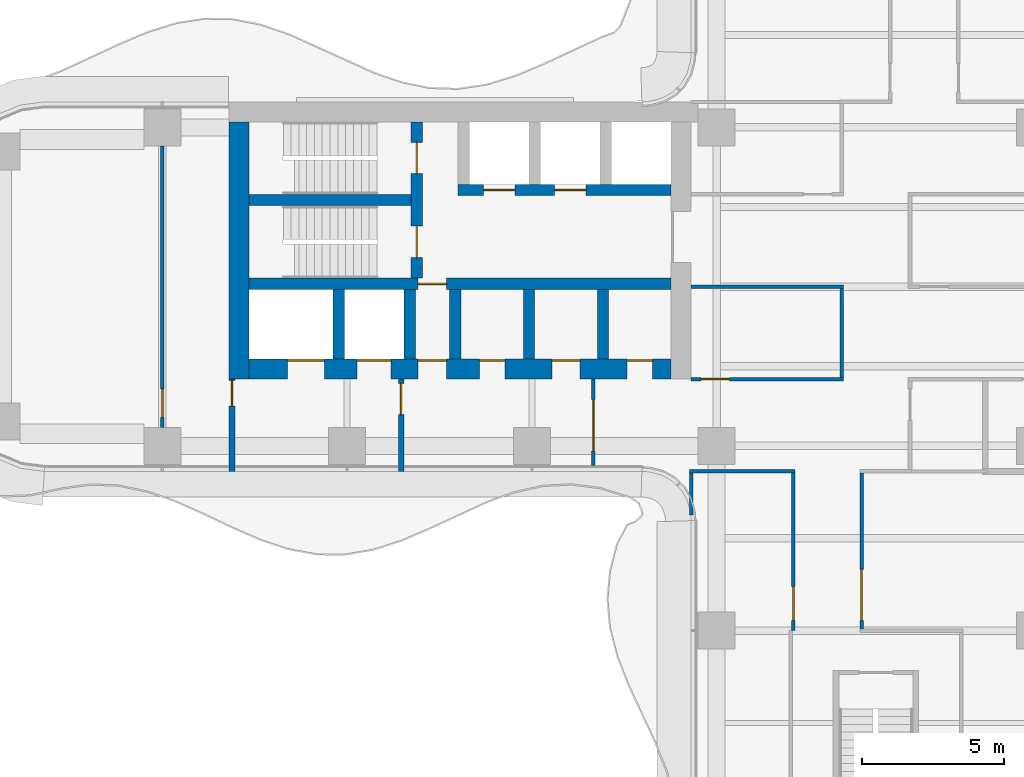
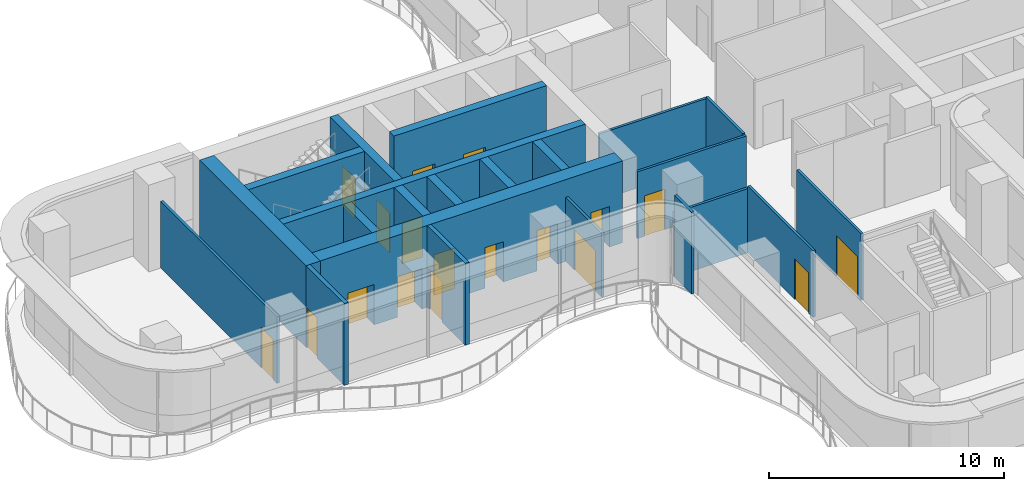
# One storey, part 15 of 20: 22 walls, 18 doors, 18 openings.
"""IFC4 building model written with IfcOpenShell, lengths in metres."""

from ifc_helpers import new_model, si_unit, direction, frame, frame_2d, origin, place, context, subcontext, project, spatial, rectangle, extrude, source, transform, mapped, material, layer, layer_set, type_object, element, fill, save


model = new_model("IFC4")

# Units and contexts
model_context = context("Model", 3, precision=1e-05, world=origin(), true_north=direction((0.0, 1.0)))
body_context = subcontext(model_context, "Body", "Model", "MODEL_VIEW")
ifc_project = project(units=[si_unit("LENGTHUNIT", "METRE"), si_unit("AREAUNIT", "SQUARE_METRE"), si_unit("VOLUMEUNIT", "CUBIC_METRE"), si_unit("PLANEANGLEUNIT", "RADIAN"), si_unit("MASSUNIT", "GRAM", prefix="KILO")], contexts=[model_context])

# Site, building, storey
site_placement = place(None, origin())
site = spatial("IfcSite", under=ifc_project, at=site_placement, CompositionType="ELEMENT")
building_placement = place(site_placement, origin())
building = spatial("IfcBuilding", under=site, at=building_placement, Name="Trellis Farm Tower", CompositionType="ELEMENT")
storey_placement = place(building_placement, frame((0.0, 0.0, 129.0)))
storey = spatial("IfcBuildingStorey", under=building, at=storey_placement, Name="L27", CompositionType="ELEMENT", Elevation=129.0)

# Walls
ifc_material_1 = material(Name="Concrete C70/85", Category="concrete")
ifc_layer_1 = layer(ifc_material_1, 0.699951171875)
ifc_layer_set_1 = layer_set([ifc_layer_1], Name="CORE OUTER WALL 700 CONCRETE C70/85")
wall_type_1 = type_object("IfcWallType", Name="CORE OUTER WALL 700 CONCRETE C70/85", PredefinedType="SHEAR", material=ifc_layer_set_1)
shared_shape_1 = source(origin(), body_context, "Body", "SweptSolid", [
    extrude(rectangle(XDim=9.050048828125, YDim=0.699951171875, at=frame_2d((4.52490234375, 0.0))), origin(), (0.0, 0.0, 1.0), 4.25),
])
wall_1_placement = place(storey_placement, frame((-22.39990234375, 5.800048828125, 0.0), z_axis=(0.0, 0.0, 1.0), x_axis=(0.0, -1.0, 0.0)))
element("IfcWall", 1, at=wall_1_placement, inside=storey, type_object=wall_type_1, Name="Core wall", PredefinedType="SHEAR", context=body_context, shape_type="MappedRepresentation", body=[
    mapped(shared_shape_1, transform((0.0, 0.0, 0.0))),
])
ifc_layer_2 = layer(ifc_material_1, 0.39990234375)
ifc_layer_set_2 = layer_set([ifc_layer_2], Name="CORE INNER WALL 400 CONCRETE C70/85")
wall_type_2 = type_object("IfcWallType", Name="CORE INNER WALL 400 CONCRETE C70/85", PredefinedType="SHEAR", material=ifc_layer_set_2)
shared_shape_2 = source(origin(), body_context, "Body", "SweptSolid", [
    extrude(rectangle(XDim=2.449951171875, YDim=0.39990234375, at=frame_2d((1.22509765625, 0.0))), origin(), (0.0, 0.0, 1.0), 4.25),
])
for number, where, z_axis, x_axis, name in (
    (2, (-9.60009765625, -0.10009765625, 0.0), (0.0, 0.0, 1.0), (0.0, -1.0, 0.0), "Core wall"),
    (3, (-12.199951171875, -0.10009765625, 0.0), (0.0, 0.0, 1.0), (0.0, -1.0, 0.0), "Core wall"),
    (4, (-14.800048828125, -0.10009765625, 0.0), (0.0, 0.0, 1.0), (0.0, -1.0, 0.0), "Core wall"),
    (5, (-16.39990234375, -0.10009765625, 0.0), (0.0, 0.0, 1.0), (0.0, -1.0, 0.0), "Core wall"),
    (6, (-18.89990234375, -0.10009765625, 0.0), (0.0, 0.0, 1.0), (0.0, -1.0, 0.0), "Core wall"),
):
    element("IfcWall", number, at=place(storey_placement, frame(where, z_axis=z_axis, x_axis=x_axis)), inside=storey, type_object=wall_type_2, Name=name, PredefinedType="SHEAR", context=body_context, shape_type="MappedRepresentation", body=[
        mapped(shared_shape_2, transform((0.0, 0.0, 0.0))),
    ])

# Wall, opening, door
ifc_material_2 = material(Name="Masonry blockwork", Category="masonry")
ifc_layer_3 = layer(ifc_material_2, 0.199951171875)
ifc_layer_set_3 = layer_set([ifc_layer_3], Name="FIRE LOBBY PARTITION 200 BLOCKWORK")
wall_type_3 = type_object("IfcWallType", Name="FIRE LOBBY PARTITION 200 BLOCKWORK", PredefinedType="PARTITIONING", material=ifc_layer_set_3)
shared_shape_3 = source(origin(), body_context, "Body", "SweptSolid", [
    extrude(rectangle(XDim=3.25, YDim=0.199951171875, at=frame_2d((1.625, 0.0))), origin(), (0.0, 0.0, 1.0), 4.25),
])
wall_2_placement = place(storey_placement, frame((-16.699951171875, -3.25, 0.0), z_axis=(0.0, 0.0, 1.0), x_axis=(0.0, -1.0, 0.0)))
wall_2 = element("IfcWall", 7, at=wall_2_placement, inside=storey, type_object=wall_type_3, Name="Fire-fighting lobby partition", PredefinedType="PARTITIONING", context=body_context, shape_type="MappedRepresentation", body=[
    mapped(shared_shape_3, transform((0.0, 0.0, 0.0))),
])
shared_shape_4 = source(origin(), body_context, "Body", "SweptSolid", [
    extrude(rectangle(XDim=1.10009765625, YDim=2.10009765625, at=frame_2d((0.550048828125, 1.050048828125))), frame((0.0, 0.110107421875, 0.0), z_axis=(0.0, -1.0, 0.0), x_axis=(1.0, 0.0, 0.0)), (0.0, 0.0, 1.0), 0.22021484375),
])
opening_1_placement = place(wall_2_placement, frame((0.14990234375, 0.0, 0.0)))
opening_1 = element("IfcOpeningElement", 8, at=opening_1_placement, cuts=wall_2, Name="Opening DC93", PredefinedType="OPENING", context=body_context, shape_type="MappedRepresentation", body=[
    mapped(shared_shape_4, transform((0.0, 0.0, 0.0))),
])
ifc_material_3 = material(Name="Steel", Category="steel")
door_type_1 = type_object("IfcDoorType", Name="CORE FIRE DOOR 1100 X 2100", OperationType="NOTDEFINED", PredefinedType="DOOR", material=ifc_material_3)
shared_shape_5 = source(origin(), body_context, "Body", "SweptSolid", [
    extrude(rectangle(XDim=1.10009765625, YDim=2.10009765625, at=frame_2d((0.550048828125, 1.050048828125))), frame((0.0, 0.02490234375, 0.0), z_axis=(0.0, -1.0, 0.0), x_axis=(1.0, 0.0, 0.0)), (0.0, 0.0, 1.0), 0.050048828125),
])
door_1_placement = place(opening_1_placement, origin())
door_1 = element("IfcDoor", 9, at=door_1_placement, inside=storey, type_object=door_type_1, Name="Core door", OperationType="SINGLE_SWING_RIGHT", OverallHeight=2.10009765625, OverallWidth=1.10009765625, PredefinedType="DOOR", context=body_context, shape_type="MappedRepresentation", body=[
    mapped(shared_shape_5, transform((0.0, 0.0, 0.0))),
])
fill(opening_1, door_1)

wall_3_placement = place(storey_placement, frame((-22.64990234375, -3.25, 0.0), z_axis=(0.0, 0.0, 1.0), x_axis=(0.0, -1.0, 0.0)))
wall_3 = element("IfcWall", 10, at=wall_3_placement, inside=storey, type_object=wall_type_3, Name="Fire-fighting lobby partition", PredefinedType="PARTITIONING", context=body_context, shape_type="MappedRepresentation", body=[
    mapped(shared_shape_3, transform((0.0, 0.0, 0.0))),
])
shared_shape_6 = source(origin(), body_context, "Body", "SweptSolid", [
    extrude(rectangle(XDim=0.89990234375, YDim=2.10009765625, at=frame_2d((0.449951171875, 1.050048828125))), frame((0.0, 0.110107421875, 0.0), z_axis=(0.0, -1.0, 0.0), x_axis=(1.0, 0.0, 0.0)), (0.0, 0.0, 1.0), 0.22021484375),
])
opening_2_placement = place(wall_3_placement, frame((0.050048828125, 0.0, 0.0)))
opening_2 = element("IfcOpeningElement", 11, at=opening_2_placement, cuts=wall_3, Name="Opening DC94", PredefinedType="OPENING", context=body_context, shape_type="MappedRepresentation", body=[
    mapped(shared_shape_6, transform((0.0, 0.0, 0.0))),
])
door_type_2 = type_object("IfcDoorType", Name="CORE FIRE DOOR 900 X 2100", OperationType="NOTDEFINED", PredefinedType="DOOR", material=ifc_material_3)
shared_shape_7 = source(origin(), body_context, "Body", "SweptSolid", [
    extrude(rectangle(XDim=0.89990234375, YDim=2.10009765625, at=frame_2d((0.449951171875, 1.050048828125))), frame((0.0, 0.02490234375, 0.0), z_axis=(0.0, -1.0, 0.0), x_axis=(1.0, 0.0, 0.0)), (0.0, 0.0, 1.0), 0.050048828125),
])
door_2_placement = place(opening_2_placement, origin())
door_2 = element("IfcDoor", 12, at=door_2_placement, inside=storey, type_object=door_type_2, Name="Core door", OperationType="SINGLE_SWING_RIGHT", OverallHeight=2.10009765625, OverallWidth=0.89990234375, PredefinedType="DOOR", context=body_context, shape_type="MappedRepresentation", body=[
    mapped(shared_shape_7, transform((0.0, 0.0, 0.0))),
])
fill(opening_2, door_2)

# Wall, openings, doors
shared_shape_8 = source(origin(), body_context, "Body", "SweptSolid", [
    extrude(rectangle(XDim=14.85009765625, YDim=0.699951171875, at=frame_2d((7.425048828125, 0.0))), origin(), (0.0, 0.0, 1.0), 4.25),
])
wall_4_placement = place(storey_placement, frame((-7.199951171875, -2.89990234375, 0.0), z_axis=(0.0, 0.0, 1.0), x_axis=(-1.0, 0.0, 0.0)))
wall_4 = element("IfcWall", 13, at=wall_4_placement, inside=storey, type_object=wall_type_1, Name="Core wall", PredefinedType="SHEAR", context=body_context, shape_type="MappedRepresentation", body=[
    mapped(shared_shape_8, transform((0.0, 0.0, 0.0))),
])
shared_shape_9 = source(origin(), body_context, "Body", "SweptSolid", [
    extrude(rectangle(XDim=1.300048828125, YDim=2.10009765625, at=frame_2d((0.64990234375, 1.050048828125))), frame((0.0, 0.360107421875, 0.0), z_axis=(0.0, -1.0, 0.0), x_axis=(1.0, 0.0, 0.0)), (0.0, 0.0, 1.0), 0.72021484375),
])
opening_3_placement = place(wall_4_placement, frame((12.199951171875, 0.0, 0.0)))
opening_3 = element("IfcOpeningElement", 14, at=opening_3_placement, cuts=wall_4, Name="Opening LD15", PredefinedType="OPENING", context=body_context, shape_type="MappedRepresentation", body=[
    mapped(shared_shape_9, transform((0.0, 0.0, 0.0))),
])
shared_shape_10 = source(origin(), body_context, "Body", "SweptSolid", [
    extrude(rectangle(XDim=1.199951171875, YDim=2.10009765625, at=frame_2d((0.60009765625, 1.050048828125))), frame((0.0, 0.360107421875, 0.0), z_axis=(0.0, -1.0, 0.0), x_axis=(1.0, 0.0, 0.0)), (0.0, 0.0, 1.0), 0.72021484375),
])
opening_4_placement = place(wall_4_placement, frame((9.85009765625, 0.0, 0.0)))
opening_4 = element("IfcOpeningElement", 15, at=opening_4_placement, cuts=wall_4, Name="Opening LD16", PredefinedType="OPENING", context=body_context, shape_type="MappedRepresentation", body=[
    mapped(shared_shape_10, transform((0.0, 0.0, 0.0))),
])
shared_shape_11 = source(origin(), body_context, "Body", "SweptSolid", [
    extrude(rectangle(XDim=1.0, YDim=2.10009765625, at=frame_2d((0.5, 1.050048828125))), frame((0.0, 0.360107421875, 0.0), z_axis=(0.0, -1.0, 0.0), x_axis=(1.0, 0.0, 0.0)), (0.0, 0.0, 1.0), 0.72021484375),
])
opening_5_placement = place(wall_4_placement, frame((7.89990234375, 0.0, 0.0)))
opening_5 = element("IfcOpeningElement", 16, at=opening_5_placement, cuts=wall_4, Name="Opening DC92", PredefinedType="OPENING", context=body_context, shape_type="MappedRepresentation", body=[
    mapped(shared_shape_11, transform((0.0, 0.0, 0.0))),
])
shared_shape_12 = source(origin(), body_context, "Body", "SweptSolid", [
    extrude(rectangle(XDim=0.89990234375, YDim=2.10009765625, at=frame_2d((0.449951171875, 1.050048828125))), frame((0.0, 0.360107421875, 0.0), z_axis=(0.0, -1.0, 0.0), x_axis=(1.0, 0.0, 0.0)), (0.0, 0.0, 1.0), 0.72021484375),
])
opening_6_placement = place(wall_4_placement, frame((0.64990234375, 0.0, 0.0)))
opening_6 = element("IfcOpeningElement", 17, at=opening_6_placement, cuts=wall_4, Name="Opening DC97", PredefinedType="OPENING", context=body_context, shape_type="MappedRepresentation", body=[
    mapped(shared_shape_12, transform((0.0, 0.0, 0.0))),
])
opening_7_placement = place(wall_4_placement, frame((3.199951171875, 0.0, 0.0)))
opening_7 = element("IfcOpeningElement", 18, at=opening_7_placement, cuts=wall_4, Name="Opening DC112", PredefinedType="OPENING", context=body_context, shape_type="MappedRepresentation", body=[
    mapped(shared_shape_11, transform((0.0, 0.0, 0.0))),
])
opening_8_placement = place(wall_4_placement, frame((5.85009765625, 0.0, 0.0)))
opening_8 = element("IfcOpeningElement", 19, at=opening_8_placement, cuts=wall_4, Name="Opening DC121", PredefinedType="OPENING", context=body_context, shape_type="MappedRepresentation", body=[
    mapped(shared_shape_12, transform((0.0, 0.0, 0.0))),
])
door_type_3 = type_object("IfcDoorType", Name="CORE FIRE DOOR 1000 X 2100", OperationType="NOTDEFINED", PredefinedType="DOOR", material=ifc_material_3)
shared_shape_13 = source(origin(), body_context, "Body", "SweptSolid", [
    extrude(rectangle(XDim=1.0, YDim=2.10009765625, at=frame_2d((0.5, 1.050048828125))), frame((0.0, -0.27490234375, 0.0), z_axis=(0.0, -1.0, 0.0), x_axis=(1.0, 0.0, 0.0)), (0.0, 0.0, 1.0), 0.050048828125),
])
door_3_placement = place(opening_5_placement, origin())
door_3 = element("IfcDoor", 20, at=door_3_placement, inside=storey, type_object=door_type_3, Name="Core door", OperationType="SINGLE_SWING_LEFT", OverallHeight=2.10009765625, OverallWidth=1.0, PredefinedType="DOOR", context=body_context, shape_type="MappedRepresentation", body=[
    mapped(shared_shape_13, transform((0.0, 0.0, 0.0))),
])
fill(opening_5, door_3)
door_4_placement = place(opening_7_placement, origin())
door_4 = element("IfcDoor", 21, at=door_4_placement, inside=storey, type_object=door_type_3, Name="Core door", OperationType="SINGLE_SWING_RIGHT", OverallHeight=2.10009765625, OverallWidth=1.0, PredefinedType="DOOR", context=body_context, shape_type="MappedRepresentation", body=[
    mapped(shared_shape_13, transform((0.0, 0.0, 0.0))),
])
fill(opening_7, door_4)
shared_shape_14 = source(origin(), body_context, "Body", "SweptSolid", [
    extrude(rectangle(XDim=0.89990234375, YDim=2.10009765625, at=frame_2d((0.449951171875, 1.050048828125))), frame((0.0, -0.27490234375, 0.0), z_axis=(0.0, -1.0, 0.0), x_axis=(1.0, 0.0, 0.0)), (0.0, 0.0, 1.0), 0.050048828125),
])
door_5_placement = place(opening_6_placement, origin())
door_5 = element("IfcDoor", 22, at=door_5_placement, inside=storey, type_object=door_type_2, Name="Core door", OperationType="SINGLE_SWING_LEFT", OverallHeight=2.10009765625, OverallWidth=0.89990234375, PredefinedType="DOOR", context=body_context, shape_type="MappedRepresentation", body=[
    mapped(shared_shape_14, transform((0.0, 0.0, 0.0))),
])
fill(opening_6, door_5)
door_6_placement = place(opening_8_placement, origin())
door_6 = element("IfcDoor", 23, at=door_6_placement, inside=storey, type_object=door_type_2, Name="Core door", OperationType="SINGLE_SWING_LEFT", OverallHeight=2.10009765625, OverallWidth=0.89990234375, PredefinedType="DOOR", context=body_context, shape_type="MappedRepresentation", body=[
    mapped(shared_shape_14, transform((0.0, 0.0, 0.0))),
])
fill(opening_8, door_6)
ifc_material_4 = material(Name="Stainless steel", Category="steel")
door_type_4 = type_object("IfcDoorType", Name="LIFT LANDING DOOR 1300 X 2100", OperationType="DOUBLE_DOOR_SLIDING", PredefinedType="DOOR", material=ifc_material_4)
shared_shape_15 = source(origin(), body_context, "Body", "SweptSolid", [
    extrude(rectangle(XDim=1.300048828125, YDim=2.10009765625, at=frame_2d((0.64990234375, 1.050048828125))), frame((0.0, -0.27490234375, 0.0), z_axis=(0.0, -1.0, 0.0), x_axis=(1.0, 0.0, 0.0)), (0.0, 0.0, 1.0), 0.050048828125),
])
door_7_placement = place(opening_3_placement, origin())
door_7 = element("IfcDoor", 24, at=door_7_placement, inside=storey, type_object=door_type_4, Name="Lift landing door", OperationType="DOUBLE_DOOR_SLIDING", OverallHeight=2.10009765625, OverallWidth=1.300048828125, PredefinedType="DOOR", context=body_context, shape_type="MappedRepresentation", body=[
    mapped(shared_shape_15, transform((0.0, 0.0, 0.0))),
])
fill(opening_3, door_7)
door_type_5 = type_object("IfcDoorType", Name="LIFT LANDING DOOR 1200 X 2100", OperationType="DOUBLE_DOOR_SLIDING", PredefinedType="DOOR", material=ifc_material_4)
shared_shape_16 = source(origin(), body_context, "Body", "SweptSolid", [
    extrude(rectangle(XDim=1.199951171875, YDim=2.10009765625, at=frame_2d((0.60009765625, 1.050048828125))), frame((0.0, -0.27490234375, 0.0), z_axis=(0.0, -1.0, 0.0), x_axis=(1.0, 0.0, 0.0)), (0.0, 0.0, 1.0), 0.050048828125),
])
door_8_placement = place(opening_4_placement, origin())
door_8 = element("IfcDoor", 25, at=door_8_placement, inside=storey, type_object=door_type_5, Name="Lift landing door", OperationType="DOUBLE_DOOR_SLIDING", OverallHeight=2.10009765625, OverallWidth=1.199951171875, PredefinedType="DOOR", context=body_context, shape_type="MappedRepresentation", body=[
    mapped(shared_shape_16, transform((0.0, 0.0, 0.0))),
])
fill(opening_4, door_8)

shared_shape_17 = source(origin(), body_context, "Body", "SweptSolid", [
    extrude(rectangle(XDim=7.5, YDim=0.39990234375, at=frame_2d((3.75, 0.0))), origin(), (0.0, 0.0, 1.0), 4.25),
])
wall_5_placement = place(storey_placement, frame((-7.199951171875, 3.39990234375, 0.0), z_axis=(0.0, 0.0, 1.0), x_axis=(-1.0, 0.0, 0.0)))
wall_5 = element("IfcWall", 26, at=wall_5_placement, inside=storey, type_object=wall_type_2, Name="Core wall", PredefinedType="SHEAR", context=body_context, shape_type="MappedRepresentation", body=[
    mapped(shared_shape_17, transform((0.0, 0.0, 0.0))),
])
shared_shape_18 = source(origin(), body_context, "Body", "SweptSolid", [
    extrude(rectangle(XDim=1.10009765625, YDim=2.10009765625, at=frame_2d((0.550048828125, 1.050048828125))), frame((0.0, 0.2099609375, 0.0), z_axis=(0.0, -1.0, 0.0), x_axis=(1.0, 0.0, 0.0)), (0.0, 0.0, 1.0), 0.419921875),
])
opening_9_placement = place(wall_5_placement, frame((3.0, 0.0, 0.0)))
opening_9 = element("IfcOpeningElement", 27, at=opening_9_placement, cuts=wall_5, Name="Opening LD10", PredefinedType="OPENING", context=body_context, shape_type="MappedRepresentation", body=[
    mapped(shared_shape_18, transform((0.0, 0.0, 0.0))),
])
opening_10_placement = place(wall_5_placement, frame((5.5, 0.0, 0.0)))
opening_10 = element("IfcOpeningElement", 28, at=opening_10_placement, cuts=wall_5, Name="Opening LD11", PredefinedType="OPENING", context=body_context, shape_type="MappedRepresentation", body=[
    mapped(shared_shape_18, transform((0.0, 0.0, 0.0))),
])
door_type_6 = type_object("IfcDoorType", Name="LIFT LANDING DOOR 1100 X 2100", OperationType="DOUBLE_DOOR_SLIDING", PredefinedType="DOOR", material=ifc_material_4)
door_9_placement = place(opening_9_placement, origin())
door_9 = element("IfcDoor", 29, at=door_9_placement, inside=storey, type_object=door_type_6, Name="Lift landing door", OperationType="DOUBLE_DOOR_SLIDING", OverallHeight=2.10009765625, OverallWidth=1.10009765625, PredefinedType="DOOR", context=body_context, shape_type="MappedRepresentation", body=[
    mapped(shared_shape_5, transform((0.0, 0.0, 0.0))),
])
fill(opening_9, door_9)
door_10_placement = place(opening_10_placement, origin())
door_10 = element("IfcDoor", 30, at=door_10_placement, inside=storey, type_object=door_type_6, Name="Lift landing door", OperationType="DOUBLE_DOOR_SLIDING", OverallHeight=2.10009765625, OverallWidth=1.10009765625, PredefinedType="DOOR", context=body_context, shape_type="MappedRepresentation", body=[
    mapped(shared_shape_5, transform((0.0, 0.0, 0.0))),
])
fill(opening_10, door_10)

# Wall, opening, door
shared_shape_19 = source(origin(), body_context, "Body", "SweptSolid", [
    extrude(rectangle(XDim=14.85009765625, YDim=0.39990234375, at=frame_2d((7.425048828125, 0.0))), origin(), (0.0, 0.0, 1.0), 4.25),
])
wall_6_placement = place(storey_placement, frame((-7.199951171875, 0.10009765625, 0.0), z_axis=(0.0, 0.0, 1.0), x_axis=(-1.0, 0.0, 0.0)))
wall_6 = element("IfcWall", 31, at=wall_6_placement, inside=storey, type_object=wall_type_2, Name="Core wall", PredefinedType="SHEAR", context=body_context, shape_type="MappedRepresentation", body=[
    mapped(shared_shape_19, transform((0.0, 0.0, 0.0))),
])
shared_shape_20 = source(origin(), body_context, "Body", "SweptSolid", [
    extrude(rectangle(XDim=1.0, YDim=2.10009765625, at=frame_2d((0.5, 1.050048828125))), frame((0.0, 0.2099609375, 0.0), z_axis=(0.0, -1.0, 0.0), x_axis=(1.0, 0.0, 0.0)), (0.0, 0.0, 1.0), 0.419921875),
])
opening_11_placement = place(wall_6_placement, frame((7.89990234375, 0.0, 0.0)))
opening_11 = element("IfcOpeningElement", 32, at=opening_11_placement, cuts=wall_6, Name="Opening DC91", PredefinedType="OPENING", context=body_context, shape_type="MappedRepresentation", body=[
    mapped(shared_shape_20, transform((0.0, 0.0, 0.0))),
])
shared_shape_21 = source(origin(), body_context, "Body", "SweptSolid", [
    extrude(rectangle(XDim=1.0, YDim=2.10009765625, at=frame_2d((0.5, 1.050048828125))), frame((0.0, 0.02490234375, 0.0), z_axis=(0.0, -1.0, 0.0), x_axis=(1.0, 0.0, 0.0)), (0.0, 0.0, 1.0), 0.050048828125),
])
door_11_placement = place(opening_11_placement, origin())
door_11 = element("IfcDoor", 33, at=door_11_placement, inside=storey, type_object=door_type_3, Name="Core door", OperationType="SINGLE_SWING_RIGHT", OverallHeight=2.10009765625, OverallWidth=1.0, PredefinedType="DOOR", context=body_context, shape_type="MappedRepresentation", body=[
    mapped(shared_shape_21, transform((0.0, 0.0, 0.0))),
])
fill(opening_11, door_11)

# Wall, openings, doors
shared_shape_22 = source(origin(), body_context, "Body", "SweptSolid", [
    extrude(rectangle(XDim=5.5, YDim=0.39990234375, at=frame_2d((2.75, 0.0))), origin(), (0.0, 0.0, 1.0), 4.25),
])
wall_7_placement = place(storey_placement, frame((-16.14990234375, 5.800048828125, 0.0), z_axis=(0.0, 0.0, 1.0), x_axis=(0.0, -1.0, 0.0)))
wall_7 = element("IfcWall", 34, at=wall_7_placement, inside=storey, type_object=wall_type_2, Name="Core wall", PredefinedType="SHEAR", context=body_context, shape_type="MappedRepresentation", body=[
    mapped(shared_shape_22, transform((0.0, 0.0, 0.0))),
])
opening_12_placement = place(wall_7_placement, frame((0.72509765625, 0.0, 0.0)))
opening_12 = element("IfcOpeningElement", 35, at=opening_12_placement, cuts=wall_7, Name="Opening DC88", PredefinedType="OPENING", context=body_context, shape_type="MappedRepresentation", body=[
    mapped(shared_shape_18, transform((0.0, 0.0, 0.0))),
])
opening_13_placement = place(wall_7_placement, frame((3.675048828125, 0.0, 0.0)))
opening_13 = element("IfcOpeningElement", 36, at=opening_13_placement, cuts=wall_7, Name="Opening DC89", PredefinedType="OPENING", context=body_context, shape_type="MappedRepresentation", body=[
    mapped(shared_shape_18, transform((0.0, 0.0, 0.0))),
])
door_12_placement = place(opening_12_placement, origin())
door_12 = element("IfcDoor", 37, at=door_12_placement, inside=storey, type_object=door_type_1, Name="Core door", OperationType="SINGLE_SWING_RIGHT", OverallHeight=2.10009765625, OverallWidth=1.10009765625, PredefinedType="DOOR", context=body_context, shape_type="MappedRepresentation", body=[
    mapped(shared_shape_5, transform((0.0, 0.0, 0.0))),
])
fill(opening_12, door_12)
door_13_placement = place(opening_13_placement, origin())
door_13 = element("IfcDoor", 38, at=door_13_placement, inside=storey, type_object=door_type_1, Name="Core door", OperationType="SINGLE_SWING_LEFT", OverallHeight=2.10009765625, OverallWidth=1.10009765625, PredefinedType="DOOR", context=body_context, shape_type="MappedRepresentation", body=[
    mapped(shared_shape_5, transform((0.0, 0.0, 0.0))),
])
fill(opening_13, door_13)

# Walls
shared_shape_23 = source(origin(), body_context, "Body", "SweptSolid", [
    extrude(rectangle(XDim=5.699951171875, YDim=0.39990234375, at=frame_2d((2.85009765625, 0.0))), origin(), (0.0, 0.0, 1.0), 4.25),
])
wall_8_placement = place(storey_placement, frame((-16.35009765625, 3.050048828125, 0.0), z_axis=(0.0, 0.0, 1.0), x_axis=(-1.0, 0.0, 0.0)))
element("IfcWall", 39, at=wall_8_placement, inside=storey, type_object=wall_type_2, Name="Core wall", PredefinedType="SHEAR", context=body_context, shape_type="MappedRepresentation", body=[
    mapped(shared_shape_23, transform((0.0, 0.0, 0.0))),
])
ifc_material_5 = material(Name="Plasterboard on steel studs, mineral wool", Category="steel")
ifc_layer_4 = layer(ifc_material_5, 0.125)
ifc_layer_set_4 = layer_set([ifc_layer_4], Name="PARTITION 125 STUD EI 60")
wall_type_4 = type_object("IfcWallType", Name="PARTITION 125 STUD EI 60", PredefinedType="PARTITIONING", material=ifc_layer_set_4)
shared_shape_24 = source(origin(), body_context, "Body", "SweptSolid", [
    extrude(rectangle(XDim=3.125, YDim=0.125, at=frame_2d((1.5625, 0.0))), origin(), (0.0, 0.0, 1.0), 3.54638671875),
])
wall_9_placement = place(storey_placement, frame((-1.199951171875, -0.0625, 0.0), z_axis=(0.0, 0.0, 1.0), x_axis=(0.0, -1.0, 0.0)))
element("IfcWall", 40, at=wall_9_placement, inside=storey, type_object=wall_type_4, Name="Partition PW1", PredefinedType="PARTITIONING", context=body_context, shape_type="MappedRepresentation", body=[
    mapped(shared_shape_24, transform((0.0, 0.0, 0.0))),
])

# Wall, opening, door
shared_shape_25 = source(origin(), body_context, "Body", "SweptSolid", [
    extrude(rectangle(XDim=5.47509765625, YDim=0.125, at=frame_2d((2.737548828125, 0.0))), origin(), (0.0, 0.0, 1.0), 3.4677734375),
])
wall_10_placement = place(storey_placement, frame((-0.5, -12.03759765625, 0.0), z_axis=(0.0, 0.0, 1.0), x_axis=(0.0, 1.0, 0.0)))
wall_10 = element("IfcWall", 41, at=wall_10_placement, inside=storey, type_object=wall_type_4, Name="Partition PW1", PredefinedType="PARTITIONING", context=body_context, shape_type="MappedRepresentation", body=[
    mapped(shared_shape_25, transform((0.0, 0.0, 0.0))),
])
shared_shape_26 = source(origin(), body_context, "Body", "SweptSolid", [
    extrude(rectangle(XDim=1.800048828125, YDim=2.10009765625, at=frame_2d((0.89990234375, 1.050048828125))), frame((0.0, 0.072509765625, 0.0), z_axis=(0.0, -1.0, 0.0), x_axis=(1.0, 0.0, 0.0)), (0.0, 0.0, 1.0), 0.14501953125),
])
opening_14_placement = place(wall_10_placement, frame((0.28759765625, 0.0, 0.0)))
opening_14 = element("IfcOpeningElement", 42, at=opening_14_placement, cuts=wall_10, Name="Opening D201", PredefinedType="OPENING", context=body_context, shape_type="MappedRepresentation", body=[
    mapped(shared_shape_26, transform((0.0, 0.0, 0.0))),
])
ifc_material_6 = material(Name="Fire-rated timber door leaf in a hollow metal frame", Category="wood")
door_type_7 = type_object("IfcDoorType", Name="DOOR PAIR 1800x2100 FD30S", OperationType="NOTDEFINED", PredefinedType="DOOR", material=ifc_material_6)
shared_shape_27 = source(origin(), body_context, "Body", "SweptSolid", [
    extrude(rectangle(XDim=1.800048828125, YDim=2.10009765625, at=frame_2d((0.89990234375, 1.050048828125))), frame((0.0, 0.02490234375, 0.0), z_axis=(0.0, -1.0, 0.0), x_axis=(1.0, 0.0, 0.0)), (0.0, 0.0, 1.0), 0.050048828125),
])
door_14_placement = place(opening_14_placement, origin())
door_14 = element("IfcDoor", 43, at=door_14_placement, inside=storey, type_object=door_type_7, Name="Door D201", OperationType="DOUBLE_DOOR_SINGLE_SWING", OverallHeight=2.10009765625, OverallWidth=1.800048828125, PredefinedType="DOOR", context=body_context, shape_type="MappedRepresentation", body=[
    mapped(shared_shape_27, transform((0.0, 0.0, 0.0))),
])
fill(opening_14, door_14)

# Wall
shared_shape_28 = source(origin(), body_context, "Body", "SweptSolid", [
    extrude(rectangle(XDim=1.468994140625, YDim=0.125, at=frame_2d((0.734375, 0.0))), origin(), (0.0, 0.0, 1.0), 4.25),
])
wall_11_placement = place(storey_placement, frame((-6.5, -6.5625, 0.0), z_axis=(0.0, 0.0, 1.0), x_axis=(0.0, -1.0, 0.0)))
element("IfcWall", 44, at=wall_11_placement, inside=storey, type_object=wall_type_4, Name="Partition PW1", PredefinedType="PARTITIONING", context=body_context, shape_type="MappedRepresentation", body=[
    mapped(shared_shape_28, transform((0.0, 0.0, 0.0))),
])

# Wall, opening, door
shared_shape_29 = source(origin(), body_context, "Body", "SweptSolid", [
    extrude(rectangle(XDim=5.362548828125, YDim=0.125, at=frame_2d((2.68115234375, 0.0))), origin(), (0.0, 0.0, 1.0), 3.4677734375),
])
wall_12_placement = place(storey_placement, frame((-1.137451171875, -3.25, 0.0), z_axis=(0.0, 0.0, 1.0), x_axis=(-1.0, 0.0, 0.0)))
wall_12 = element("IfcWall", 45, at=wall_12_placement, inside=storey, type_object=wall_type_4, Name="Partition PW1", PredefinedType="PARTITIONING", context=body_context, shape_type="MappedRepresentation", body=[
    mapped(shared_shape_29, transform((0.0, 0.0, 0.0))),
])
shared_shape_30 = source(origin(), body_context, "Body", "SweptSolid", [
    extrude(rectangle(XDim=1.0, YDim=2.10009765625, at=frame_2d((0.5, 1.050048828125))), frame((0.0, 0.072509765625, 0.0), z_axis=(0.0, -1.0, 0.0), x_axis=(1.0, 0.0, 0.0)), (0.0, 0.0, 1.0), 0.14501953125),
])
opening_15_placement = place(wall_12_placement, frame((4.012451171875, 0.0, 0.0)))
opening_15 = element("IfcOpeningElement", 46, at=opening_15_placement, cuts=wall_12, Name="Opening D103", PredefinedType="OPENING", context=body_context, shape_type="MappedRepresentation", body=[
    mapped(shared_shape_30, transform((0.0, 0.0, 0.0))),
])
door_type_8 = type_object("IfcDoorType", Name="DOOR 1000x2100 FD30S", OperationType="NOTDEFINED", PredefinedType="DOOR", material=ifc_material_6)
door_15_placement = place(opening_15_placement, origin())
door_15 = element("IfcDoor", 47, at=door_15_placement, inside=storey, type_object=door_type_8, Name="Door D103", OperationType="SINGLE_SWING_RIGHT", OverallHeight=2.10009765625, OverallWidth=1.0, PredefinedType="DOOR", context=body_context, shape_type="MappedRepresentation", body=[
    mapped(shared_shape_21, transform((0.0, 0.0, 0.0))),
])
fill(opening_15, door_15)

# Wall
wall_13_placement = place(storey_placement, frame((-1.137451171875, 0.0, 0.0), z_axis=(0.0, 0.0, 1.0), x_axis=(-1.0, 0.0, 0.0)))
element("IfcWall", 48, at=wall_13_placement, inside=storey, type_object=wall_type_4, Name="Partition PW1", PredefinedType="PARTITIONING", context=body_context, shape_type="MappedRepresentation", body=[
    mapped(shared_shape_29, transform((0.0, 0.0, 0.0))),
])

# Wall, opening, door
shared_shape_31 = source(origin(), body_context, "Body", "SweptSolid", [
    extrude(rectangle(XDim=3.050048828125, YDim=0.125, at=frame_2d((1.52490234375, 0.0))), origin(), (0.0, 0.0, 1.0), 3.330078125),
])
wall_14_placement = place(storey_placement, frame((-9.93408203125, -6.300048828125, 0.0), z_axis=(0.0, 0.0, 1.0), x_axis=(0.0, 1.0, 0.0)))
wall_14 = element("IfcWall", 49, at=wall_14_placement, inside=storey, type_object=wall_type_4, Name="Partition PW1", PredefinedType="PARTITIONING", context=body_context, shape_type="MappedRepresentation", body=[
    mapped(shared_shape_31, transform((0.0, 0.0, 0.0))),
])
opening_16_placement = place(wall_14_placement, frame((0.52490234375, 0.0, 0.0)))
opening_16 = element("IfcOpeningElement", 50, at=opening_16_placement, cuts=wall_14, Name="Opening D401", PredefinedType="OPENING", context=body_context, shape_type="MappedRepresentation", body=[
    mapped(shared_shape_26, transform((0.0, 0.0, 0.0))),
])
door_type_9 = type_object("IfcDoorType", Name="DOOR PAIR 1800x2100 FD60", OperationType="NOTDEFINED", PredefinedType="DOOR", material=ifc_material_6)
door_16_placement = place(opening_16_placement, origin())
door_16 = element("IfcDoor", 51, at=door_16_placement, inside=storey, type_object=door_type_9, Name="Door D401", OperationType="DOUBLE_DOOR_SINGLE_SWING", OverallHeight=2.10009765625, OverallWidth=1.800048828125, PredefinedType="DOOR", context=body_context, shape_type="MappedRepresentation", body=[
    mapped(shared_shape_27, transform((0.0, 0.0, 0.0))),
])
fill(opening_16, door_16)

shared_shape_32 = source(origin(), body_context, "Body", "SweptSolid", [
    extrude(rectangle(XDim=5.53759765625, YDim=0.125, at=frame_2d((2.768798828125, 0.0))), origin(), (0.0, 0.0, 1.0), 3.4677734375),
])
wall_15_placement = place(storey_placement, frame((-2.89990234375, -12.10009765625, 0.0), z_axis=(0.0, 0.0, 1.0), x_axis=(0.0, 1.0, 0.0)))
wall_15 = element("IfcWall", 52, at=wall_15_placement, inside=storey, type_object=wall_type_4, Name="Partition PW1", PredefinedType="PARTITIONING", context=body_context, shape_type="MappedRepresentation", body=[
    mapped(shared_shape_32, transform((0.0, 0.0, 0.0))),
])
shared_shape_33 = source(origin(), body_context, "Body", "SweptSolid", [
    extrude(rectangle(XDim=1.199951171875, YDim=2.10009765625, at=frame_2d((0.60009765625, 1.050048828125))), frame((0.0, 0.072509765625, 0.0), z_axis=(0.0, -1.0, 0.0), x_axis=(1.0, 0.0, 0.0)), (0.0, 0.0, 1.0), 0.14501953125),
])
opening_17_placement = place(wall_15_placement, frame((0.35009765625, 0.0, 0.0)))
opening_17 = element("IfcOpeningElement", 53, at=opening_17_placement, cuts=wall_15, Name="Opening D601", PredefinedType="OPENING", context=body_context, shape_type="MappedRepresentation", body=[
    mapped(shared_shape_33, transform((0.0, 0.0, 0.0))),
])
door_type_10 = type_object("IfcDoorType", Name="DOOR 1200x2100 FD30S", OperationType="NOTDEFINED", PredefinedType="DOOR", material=ifc_material_6)
shared_shape_34 = source(origin(), body_context, "Body", "SweptSolid", [
    extrude(rectangle(XDim=1.199951171875, YDim=2.10009765625, at=frame_2d((0.60009765625, 1.050048828125))), frame((0.0, 0.02490234375, 0.0), z_axis=(0.0, -1.0, 0.0), x_axis=(1.0, 0.0, 0.0)), (0.0, 0.0, 1.0), 0.050048828125),
])
door_17_placement = place(opening_17_placement, origin())
door_17 = element("IfcDoor", 54, at=door_17_placement, inside=storey, type_object=door_type_10, Name="Door D601", OperationType="SINGLE_SWING_LEFT", OverallHeight=2.10009765625, OverallWidth=1.199951171875, PredefinedType="DOOR", context=body_context, shape_type="MappedRepresentation", body=[
    mapped(shared_shape_34, transform((0.0, 0.0, 0.0))),
])
fill(opening_17, door_17)

# Wall
shared_shape_35 = source(origin(), body_context, "Body", "SweptSolid", [
    extrude(rectangle(XDim=3.72509765625, YDim=0.125, at=frame_2d((1.862548828125, 0.0))), origin(), (0.0, 0.0, 1.0), 3.330078125),
])
wall_16_placement = place(storey_placement, frame((-2.83740234375, -6.5, 0.0), z_axis=(0.0, 0.0, 1.0), x_axis=(-1.0, 0.0, 0.0)))
element("IfcWall", 55, at=wall_16_placement, inside=storey, type_object=wall_type_4, Name="Partition PW1", PredefinedType="PARTITIONING", context=body_context, shape_type="MappedRepresentation", body=[
    mapped(shared_shape_35, transform((0.0, 0.0, 0.0))),
])

# Wall, opening, door
shared_shape_36 = source(origin(), body_context, "Body", "SweptSolid", [
    extrude(rectangle(XDim=9.89990234375, YDim=0.125, at=frame_2d((4.949951171875, 0.0))), origin(), (0.0, 0.0, 1.0), 3.4677734375),
])
wall_17_placement = place(storey_placement, frame((-25.10009765625, -4.949951171875, 0.0), z_axis=(0.0, 0.0, 1.0), x_axis=(0.0, 1.0, 0.0)))
wall_17 = element("IfcWall", 56, at=wall_17_placement, inside=storey, type_object=wall_type_4, Name="Partition PW1", PredefinedType="PARTITIONING", context=body_context, shape_type="MappedRepresentation", body=[
    mapped(shared_shape_36, transform((0.0, 0.0, 0.0))),
])
opening_18_placement = place(wall_17_placement, frame((0.35009765625, 0.0, 0.0)))
opening_18 = element("IfcOpeningElement", 57, at=opening_18_placement, cuts=wall_17, Name="Opening D102", PredefinedType="OPENING", context=body_context, shape_type="MappedRepresentation", body=[
    mapped(shared_shape_30, transform((0.0, 0.0, 0.0))),
])
door_18_placement = place(opening_18_placement, origin())
door_18 = element("IfcDoor", 58, at=door_18_placement, inside=storey, type_object=door_type_8, Name="Door D102", OperationType="SINGLE_SWING_LEFT", OverallHeight=2.10009765625, OverallWidth=1.0, PredefinedType="DOOR", context=body_context, shape_type="MappedRepresentation", body=[
    mapped(shared_shape_21, transform((0.0, 0.0, 0.0))),
])
fill(opening_18, door_18)

save(model, "model.ifc")
